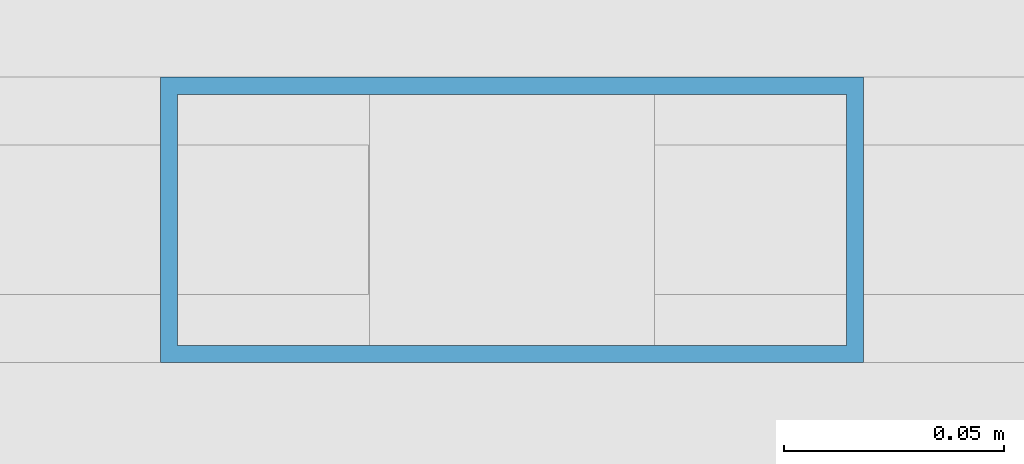
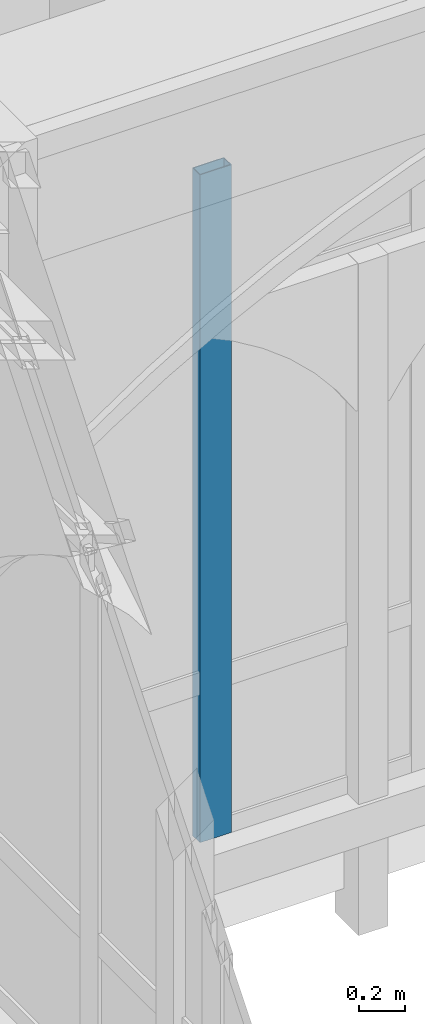
# One storey, part 47 of 143: 1 member, 1 element without a shape of its own.
"""IFC4 building model written with IfcOpenShell, lengths in metres."""

from ifc_helpers import new_model, si_unit, direction, frame, origin, origin_2d, place, context, subcontext, project, spatial, hollow_rectangle, extrude, material, layer, layer_set, material_profile, profile_set, type_object, element, aggregate, save


model = new_model("IFC4")

# Units and contexts
model_context = context("Model", 3, precision=1e-05, world=origin(), true_north=direction((0.0, 1.0)))
body_context = subcontext(model_context, "Body", "Model", "MODEL_VIEW")
ifc_project = project(units=[si_unit("LENGTHUNIT", "METRE"), si_unit("AREAUNIT", "SQUARE_METRE"), si_unit("VOLUMEUNIT", "CUBIC_METRE"), si_unit("PLANEANGLEUNIT", "RADIAN"), si_unit("MASSUNIT", "GRAM", prefix="KILO")], contexts=[model_context])

# Site, building, storey
site_placement = place(None, origin())
site = spatial("IfcSite", under=ifc_project, at=site_placement, CompositionType="ELEMENT")
building_placement = place(site_placement, origin())
building = spatial("IfcBuilding", under=site, at=building_placement, Name="Cumevento Cable Car Station", CompositionType="ELEMENT")
storey_placement = place(building_placement, frame((0.0, 0.0, 9.0)))
storey = spatial("IfcBuildingStorey", under=building, at=storey_placement, Name="L03", CompositionType="ELEMENT", Elevation=9.0)

# Curtain wall, member
ifc_material_1 = material(Name="Anodised Bronze Aluminium AW-6063-T6", Category="aluminium")
ifc_layer = layer(ifc_material_1, 0.166015625)
ifc_layer_set = layer_set([ifc_layer], Name="Anodised Bronze Aluminium AW-6063-T6")
curtain_wall_type = type_object("IfcCurtainWallType", Name="Lancet Curtain Wall CW-02 1090", PredefinedType="NOTDEFINED", material=ifc_layer_set)
curtain_wall_placement = place(storey_placement, origin())
curtain_wall = element("IfcCurtainWall", 1, at=curtain_wall_placement, inside=storey, type_object=curtain_wall_type, Name="Lancet Curtain Wall CW-02 L03 #129", PredefinedType="NOTDEFINED")
ifc_material_2 = material(Name="Anodised Bronze Aluminium AW-6063-T6", Category="aluminium")
ifc_material_profile = material_profile(ifc_material_2, hollow_rectangle(XDim=0.06494140625, YDim=0.159912109375, WallThickness=0.00390625, at=origin_2d()), Name="ALUM65x160x4")
ifc_profile_set = profile_set([ifc_material_profile], Name="Anodised Bronze Aluminium AW-6063-T6")
member_type = type_object("IfcMemberType", Name="Curtain Mullion CWM-01 ALUM65x160x4", PredefinedType="MULLION", material=ifc_profile_set)
member_placement = place(storey_placement, frame((131.39501953125, 33.0, 0.2099609375), z_axis=(0.0, 0.0, 1.0), x_axis=(0.0, -1.0, 0.0)))
member = element("IfcMember", 2, at=member_placement, type_object=member_type, Name="CW-02 mullion 5", PredefinedType="MULLION", context=body_context, shape_type="SweptSolid", body=[
    extrude(hollow_rectangle(XDim=0.06494140625, YDim=0.159912109375, WallThickness=0.00390625, at=origin_2d()), origin(), (0.0, 0.0, 1.0), 3.568115234375),
])
aggregate(curtain_wall, [member])

save(model, "model.ifc")
